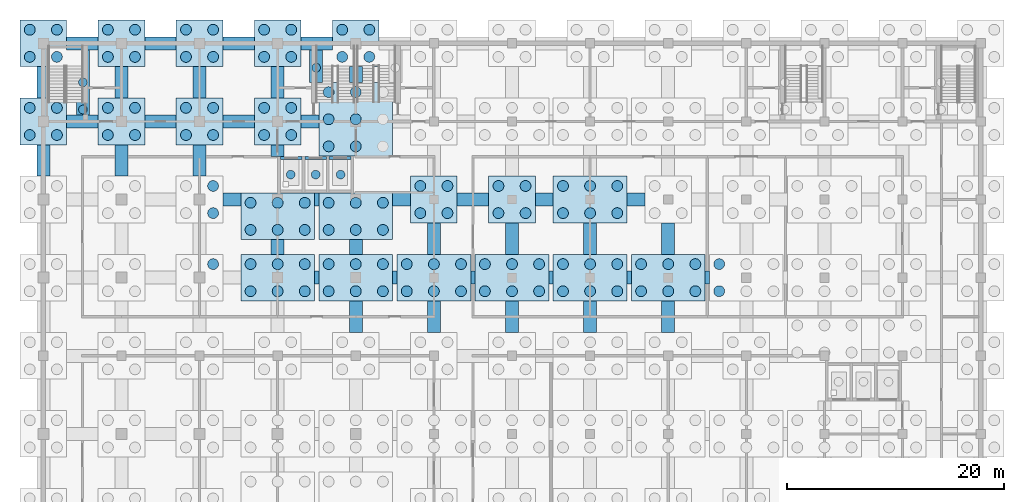
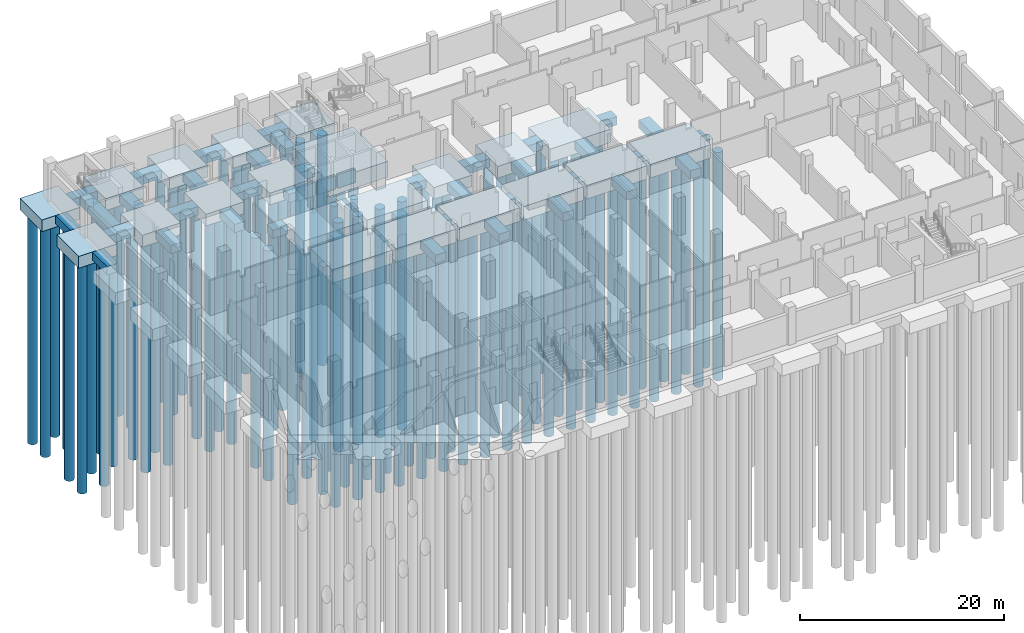
# One storey, part 3 of 19: 115 piles, 66 footings.
"""IFC4 building model written with IfcOpenShell, lengths in metres."""

from ifc_helpers import new_model, si_unit, direction, frame, origin, origin_2d, place, context, subcontext, project, spatial, rectangle, circle, extrude, material, material_profile, profile_set, type_object, element, save


model = new_model("IFC4")

# Units and contexts
model_context = context("Model", 3, precision=1e-05, world=origin(), true_north=direction((0.0, 1.0)))
body_context = subcontext(model_context, "Body", "Model", "MODEL_VIEW")
ifc_project = project(units=[si_unit("LENGTHUNIT", "METRE"), si_unit("AREAUNIT", "SQUARE_METRE"), si_unit("VOLUMEUNIT", "CUBIC_METRE"), si_unit("PLANEANGLEUNIT", "RADIAN"), si_unit("MASSUNIT", "GRAM", prefix="KILO")], contexts=[model_context])

# Site, building, storey
site_placement = place(None, origin())
site = spatial("IfcSite", under=ifc_project, at=site_placement, CompositionType="ELEMENT")
building_placement = place(site_placement, origin())
building = spatial("IfcBuilding", under=site, at=building_placement, Name="Silangan Lancet Faculty of Sciences", CompositionType="ELEMENT")
storey_placement = place(building_placement, frame((0.0, 0.0, -4.5)))
storey = spatial("IfcBuildingStorey", under=building, at=storey_placement, Name="B1", CompositionType="ELEMENT", Elevation=-4.5)

# Footings
ifc_material_1 = material(Name="Concrete C40/50", Category="concrete")
footing_type_1 = type_object("IfcFootingType", Name="LIFT PIT WALL RC 250", PredefinedType="STRIP_FOOTING", material=ifc_material_1)
for number, where, z_axis, x_axis, name in (
    (1, (22.85009765625, 47.02490234375, -1.60009765625), (0.0, 0.0, 1.0), (1.0, 0.0, 0.0), "PITWALL-NT-L1"),
    (2, (25.10009765625, 47.02490234375, -1.60009765625), (0.0, 0.0, 1.0), (1.0, 0.0, 0.0), "PITWALL-NT-L2"),
    (3, (27.35009765625, 47.02490234375, -1.60009765625), (0.0, 0.0, 1.0), (1.0, 0.0, 0.0), "PITWALL-NT-L3"),
):
    element("IfcFooting", number, at=place(storey_placement, frame(where, z_axis=z_axis, x_axis=x_axis)), inside=storey, type_object=footing_type_1, Name=name, PredefinedType="STRIP_FOOTING", context=body_context, shape_type="SweptSolid", body=[
        extrude(rectangle(XDim=2.0, YDim=0.25, at=origin_2d()), origin(), (0.0, 0.0, 1.0), 1.60009765625),
    ])

# Piles
ifc_material_2 = material(Name="Concrete C30/37", Category="concrete")
ifc_material_profile_1 = material_profile(ifc_material_2, circle(Radius=0.5, at=origin_2d()), Name="BORED PILE D1000")
ifc_profile_set_1 = profile_set([ifc_material_profile_1], Name="Concrete C30/37")
pile_type_1 = type_object("IfcPileType", Name="PILE BORED D1000", PredefinedType="BORED", material=ifc_profile_set_1)
for number, where, z_axis, x_axis, name in (
    (4, (-1.25, 49.14990234375, -2.0), (0.0, 0.0, -1.0), (1.0, 0.0, 0.0), "PILE-1H-1"),
    (5, (1.25, 49.14990234375, -2.0), (0.0, 0.0, -1.0), (1.0, 0.0, 0.0), "PILE-1H-2"),
    (6, (-1.25, 51.64990234375, -2.0), (0.0, 0.0, -1.0), (1.0, 0.0, 0.0), "PILE-1H-3"),
    (7, (1.25, 51.64990234375, -2.0), (0.0, 0.0, -1.0), (1.0, 0.0, 0.0), "PILE-1H-4"),
    (8, (-1.25, 56.35009765625, -2.0), (0.0, 0.0, -1.0), (1.0, 0.0, 0.0), "PILE-1I-1"),
    (9, (1.25, 56.35009765625, -2.0), (0.0, 0.0, -1.0), (1.0, 0.0, 0.0), "PILE-1I-2"),
    (10, (-1.25, 58.85009765625, -2.0), (0.0, 0.0, -1.0), (1.0, 0.0, 0.0), "PILE-1I-3"),
    (11, (1.25, 58.85009765625, -2.0), (0.0, 0.0, -1.0), (1.0, 0.0, 0.0), "PILE-1I-4"),
    (12, (5.949951171875, 49.14990234375, -2.0), (0.0, 0.0, -1.0), (1.0, 0.0, 0.0), "PILE-2H-1"),
    (13, (8.449951171875, 49.14990234375, -2.0), (0.0, 0.0, -1.0), (1.0, 0.0, 0.0), "PILE-2H-2"),
    (14, (5.949951171875, 51.64990234375, -2.0), (0.0, 0.0, -1.0), (1.0, 0.0, 0.0), "PILE-2H-3"),
    (15, (8.449951171875, 51.64990234375, -2.0), (0.0, 0.0, -1.0), (1.0, 0.0, 0.0), "PILE-2H-4"),
    (16, (5.949951171875, 56.35009765625, -2.0), (0.0, 0.0, -1.0), (1.0, 0.0, 0.0), "PILE-2I-1"),
    (17, (8.449951171875, 56.35009765625, -2.0), (0.0, 0.0, -1.0), (1.0, 0.0, 0.0), "PILE-2I-2"),
    (18, (5.949951171875, 58.85009765625, -2.0), (0.0, 0.0, -1.0), (1.0, 0.0, 0.0), "PILE-2I-3"),
    (19, (8.449951171875, 58.85009765625, -2.0), (0.0, 0.0, -1.0), (1.0, 0.0, 0.0), "PILE-2I-4"),
    (20, (15.64990234375, 37.25, -2.0), (0.0, 0.0, -1.0), (1.0, 0.0, 0.0), "PILE-3F-4"),
    (21, (15.64990234375, 41.949951171875, -2.0), (0.0, 0.0, -1.0), (1.0, 0.0, 0.0), "PILE-3G-2"),
    (22, (15.64990234375, 44.449951171875, -2.0), (0.0, 0.0, -1.0), (1.0, 0.0, 0.0), "PILE-3G-4"),
    (23, (13.14990234375, 49.14990234375, -2.0), (0.0, 0.0, -1.0), (1.0, 0.0, 0.0), "PILE-3H-1"),
    (24, (15.64990234375, 49.14990234375, -2.0), (0.0, 0.0, -1.0), (1.0, 0.0, 0.0), "PILE-3H-2"),
    (25, (13.14990234375, 51.64990234375, -2.0), (0.0, 0.0, -1.0), (1.0, 0.0, 0.0), "PILE-3H-3"),
    (26, (15.64990234375, 51.64990234375, -2.0), (0.0, 0.0, -1.0), (1.0, 0.0, 0.0), "PILE-3H-4"),
    (27, (13.14990234375, 56.35009765625, -2.0), (0.0, 0.0, -1.0), (1.0, 0.0, 0.0), "PILE-3I-1"),
    (28, (15.64990234375, 56.35009765625, -2.0), (0.0, 0.0, -1.0), (1.0, 0.0, 0.0), "PILE-3I-2"),
    (29, (13.14990234375, 58.85009765625, -2.0), (0.0, 0.0, -1.0), (1.0, 0.0, 0.0), "PILE-3I-3"),
    (30, (15.64990234375, 58.85009765625, -2.0), (0.0, 0.0, -1.0), (1.0, 0.0, 0.0), "PILE-3I-4"),
):
    element("IfcPile", number, at=place(storey_placement, frame(where, z_axis=z_axis, x_axis=x_axis)), inside=storey, type_object=pile_type_1, Name=name, PredefinedType="BORED", context=body_context, shape_type="SweptSolid", body=[
        extrude(circle(Radius=0.5, at=origin_2d()), origin(), (0.0, 0.0, 1.0), 27.5),
    ])
for number, where, z_axis, x_axis, name in (
    (31, (19.10009765625, 34.75, -2.199951171875), (0.0, 0.0, -1.0), (1.0, 0.0, 0.0), "PILE-4F-1"),
    (32, (21.60009765625, 34.75, -2.199951171875), (0.0, 0.0, -1.0), (1.0, 0.0, 0.0), "PILE-4F-2"),
    (33, (24.10009765625, 34.75, -2.199951171875), (0.0, 0.0, -1.0), (1.0, 0.0, 0.0), "PILE-4F-3"),
    (34, (19.10009765625, 37.25, -2.199951171875), (0.0, 0.0, -1.0), (1.0, 0.0, 0.0), "PILE-4F-4"),
    (35, (21.60009765625, 37.25, -2.199951171875), (0.0, 0.0, -1.0), (1.0, 0.0, 0.0), "PILE-4F-5"),
    (36, (24.10009765625, 37.25, -2.199951171875), (0.0, 0.0, -1.0), (1.0, 0.0, 0.0), "PILE-4F-6"),
    (37, (19.10009765625, 40.39990234375, -2.199951171875), (0.0, 0.0, -1.0), (1.0, 0.0, 0.0), "PILE-4G-1"),
    (38, (21.60009765625, 40.39990234375, -2.199951171875), (0.0, 0.0, -1.0), (1.0, 0.0, 0.0), "PILE-4G-2"),
    (39, (24.10009765625, 40.39990234375, -2.199951171875), (0.0, 0.0, -1.0), (1.0, 0.0, 0.0), "PILE-4G-3"),
    (40, (19.10009765625, 42.89990234375, -2.199951171875), (0.0, 0.0, -1.0), (1.0, 0.0, 0.0), "PILE-4G-4"),
    (41, (21.60009765625, 42.89990234375, -2.199951171875), (0.0, 0.0, -1.0), (1.0, 0.0, 0.0), "PILE-4G-5"),
    (42, (24.10009765625, 42.89990234375, -2.199951171875), (0.0, 0.0, -1.0), (1.0, 0.0, 0.0), "PILE-4G-6"),
):
    element("IfcPile", number, at=place(storey_placement, frame(where, z_axis=z_axis, x_axis=x_axis)), inside=storey, type_object=pile_type_1, Name=name, PredefinedType="BORED", context=body_context, shape_type="SweptSolid", body=[
        extrude(circle(Radius=0.5, at=origin_2d()), origin(), (0.0, 0.0, 1.0), 27.300048828125),
    ])
for number, where, z_axis, x_axis, name in (
    (43, (20.35009765625, 49.14990234375, -2.0), (0.0, 0.0, -1.0), (1.0, 0.0, 0.0), "PILE-4H-1"),
    (44, (22.85009765625, 49.14990234375, -2.0), (0.0, 0.0, -1.0), (1.0, 0.0, 0.0), "PILE-4H-2"),
    (45, (20.35009765625, 51.64990234375, -2.0), (0.0, 0.0, -1.0), (1.0, 0.0, 0.0), "PILE-4H-3"),
    (46, (22.85009765625, 51.64990234375, -2.0), (0.0, 0.0, -1.0), (1.0, 0.0, 0.0), "PILE-4H-4"),
    (47, (20.35009765625, 56.35009765625, -2.0), (0.0, 0.0, -1.0), (1.0, 0.0, 0.0), "PILE-4I-1"),
    (48, (22.85009765625, 56.35009765625, -2.0), (0.0, 0.0, -1.0), (1.0, 0.0, 0.0), "PILE-4I-2"),
    (49, (20.35009765625, 58.85009765625, -2.0), (0.0, 0.0, -1.0), (1.0, 0.0, 0.0), "PILE-4I-3"),
    (50, (22.85009765625, 58.85009765625, -2.0), (0.0, 0.0, -1.0), (1.0, 0.0, 0.0), "PILE-4I-4"),
):
    element("IfcPile", number, at=place(storey_placement, frame(where, z_axis=z_axis, x_axis=x_axis)), inside=storey, type_object=pile_type_1, Name=name, PredefinedType="BORED", context=body_context, shape_type="SweptSolid", body=[
        extrude(circle(Radius=0.5, at=origin_2d()), origin(), (0.0, 0.0, 1.0), 27.5),
    ])
for number, where, z_axis, x_axis, name in (
    (51, (26.300048828125, 34.75, -2.199951171875), (0.0, 0.0, -1.0), (1.0, 0.0, 0.0), "PILE-5F-1"),
    (52, (28.800048828125, 34.75, -2.199951171875), (0.0, 0.0, -1.0), (1.0, 0.0, 0.0), "PILE-5F-2"),
    (53, (31.300048828125, 34.75, -2.199951171875), (0.0, 0.0, -1.0), (1.0, 0.0, 0.0), "PILE-5F-3"),
    (54, (26.300048828125, 37.25, -2.199951171875), (0.0, 0.0, -1.0), (1.0, 0.0, 0.0), "PILE-5F-4"),
    (55, (28.800048828125, 37.25, -2.199951171875), (0.0, 0.0, -1.0), (1.0, 0.0, 0.0), "PILE-5F-5"),
    (56, (31.300048828125, 37.25, -2.199951171875), (0.0, 0.0, -1.0), (1.0, 0.0, 0.0), "PILE-5F-6"),
    (57, (26.300048828125, 40.39990234375, -2.199951171875), (0.0, 0.0, -1.0), (1.0, 0.0, 0.0), "PILE-5G-1"),
    (58, (28.800048828125, 40.39990234375, -2.199951171875), (0.0, 0.0, -1.0), (1.0, 0.0, 0.0), "PILE-5G-2"),
    (59, (31.300048828125, 40.39990234375, -2.199951171875), (0.0, 0.0, -1.0), (1.0, 0.0, 0.0), "PILE-5G-3"),
    (60, (26.300048828125, 42.89990234375, -2.199951171875), (0.0, 0.0, -1.0), (1.0, 0.0, 0.0), "PILE-5G-4"),
    (61, (28.800048828125, 42.89990234375, -2.199951171875), (0.0, 0.0, -1.0), (1.0, 0.0, 0.0), "PILE-5G-5"),
    (62, (31.300048828125, 42.89990234375, -2.199951171875), (0.0, 0.0, -1.0), (1.0, 0.0, 0.0), "PILE-5G-6"),
):
    element("IfcPile", number, at=place(storey_placement, frame(where, z_axis=z_axis, x_axis=x_axis)), inside=storey, type_object=pile_type_1, Name=name, PredefinedType="BORED", context=body_context, shape_type="SweptSolid", body=[
        extrude(circle(Radius=0.5, at=origin_2d()), origin(), (0.0, 0.0, 1.0), 27.300048828125),
    ])
for number, where, z_axis, x_axis, name in (
    (63, (26.300048828125, 48.10009765625, -2.5), (0.0, 0.0, -1.0), (1.0, 0.0, 0.0), "PILE-5H-1"),
    (64, (28.800048828125, 48.10009765625, -2.5), (0.0, 0.0, -1.0), (1.0, 0.0, 0.0), "PILE-5H-2"),
    (65, (26.300048828125, 50.60009765625, -2.5), (0.0, 0.0, -1.0), (1.0, 0.0, 0.0), "PILE-5H-4"),
    (66, (28.800048828125, 50.60009765625, -2.5), (0.0, 0.0, -1.0), (1.0, 0.0, 0.0), "PILE-5H-5"),
    (67, (26.300048828125, 53.10009765625, -2.5), (0.0, 0.0, -1.0), (1.0, 0.0, 0.0), "PILE-5H-7"),
    (68, (28.800048828125, 53.10009765625, -2.5), (0.0, 0.0, -1.0), (1.0, 0.0, 0.0), "PILE-5H-8"),
):
    element("IfcPile", number, at=place(storey_placement, frame(where, z_axis=z_axis, x_axis=x_axis)), inside=storey, type_object=pile_type_1, Name=name, PredefinedType="BORED", context=body_context, shape_type="SweptSolid", body=[
        extrude(circle(Radius=0.5, at=origin_2d()), origin(), (0.0, 0.0, 1.0), 27.0),
    ])
for number, where, z_axis, x_axis, name in (
    (69, (27.550048828125, 56.35009765625, -2.0), (0.0, 0.0, -1.0), (1.0, 0.0, 0.0), "PILE-5I-1"),
    (70, (30.050048828125, 56.35009765625, -2.0), (0.0, 0.0, -1.0), (1.0, 0.0, 0.0), "PILE-5I-2"),
    (71, (27.550048828125, 58.85009765625, -2.0), (0.0, 0.0, -1.0), (1.0, 0.0, 0.0), "PILE-5I-3"),
    (72, (30.050048828125, 58.85009765625, -2.0), (0.0, 0.0, -1.0), (1.0, 0.0, 0.0), "PILE-5I-4"),
):
    element("IfcPile", number, at=place(storey_placement, frame(where, z_axis=z_axis, x_axis=x_axis)), inside=storey, type_object=pile_type_1, Name=name, PredefinedType="BORED", context=body_context, shape_type="SweptSolid", body=[
        extrude(circle(Radius=0.5, at=origin_2d()), origin(), (0.0, 0.0, 1.0), 27.5),
    ])
for number, where, z_axis, x_axis, name in (
    (73, (33.5, 34.75, -2.199951171875), (0.0, 0.0, -1.0), (1.0, 0.0, 0.0), "PILE-6F-1"),
    (74, (36.0, 34.75, -2.199951171875), (0.0, 0.0, -1.0), (1.0, 0.0, 0.0), "PILE-6F-2"),
    (75, (38.5, 34.75, -2.199951171875), (0.0, 0.0, -1.0), (1.0, 0.0, 0.0), "PILE-6F-3"),
    (76, (33.5, 37.25, -2.199951171875), (0.0, 0.0, -1.0), (1.0, 0.0, 0.0), "PILE-6F-4"),
    (77, (36.0, 37.25, -2.199951171875), (0.0, 0.0, -1.0), (1.0, 0.0, 0.0), "PILE-6F-5"),
    (78, (38.5, 37.25, -2.199951171875), (0.0, 0.0, -1.0), (1.0, 0.0, 0.0), "PILE-6F-6"),
):
    element("IfcPile", number, at=place(storey_placement, frame(where, z_axis=z_axis, x_axis=x_axis)), inside=storey, type_object=pile_type_1, Name=name, PredefinedType="BORED", context=body_context, shape_type="SweptSolid", body=[
        extrude(circle(Radius=0.5, at=origin_2d()), origin(), (0.0, 0.0, 1.0), 27.300048828125),
    ])
for number, where, z_axis, x_axis, name in (
    (79, (34.75, 41.949951171875, -2.0), (0.0, 0.0, -1.0), (1.0, 0.0, 0.0), "PILE-6G-1"),
    (80, (37.25, 41.949951171875, -2.0), (0.0, 0.0, -1.0), (1.0, 0.0, 0.0), "PILE-6G-2"),
    (81, (34.75, 44.449951171875, -2.0), (0.0, 0.0, -1.0), (1.0, 0.0, 0.0), "PILE-6G-3"),
    (82, (37.25, 44.449951171875, -2.0), (0.0, 0.0, -1.0), (1.0, 0.0, 0.0), "PILE-6G-4"),
):
    element("IfcPile", number, at=place(storey_placement, frame(where, z_axis=z_axis, x_axis=x_axis)), inside=storey, type_object=pile_type_1, Name=name, PredefinedType="BORED", context=body_context, shape_type="SweptSolid", body=[
        extrude(circle(Radius=0.5, at=origin_2d()), origin(), (0.0, 0.0, 1.0), 27.5),
    ])
for number, where, z_axis, x_axis, name in (
    (83, (40.699951171875, 34.75, -2.199951171875), (0.0, 0.0, -1.0), (1.0, 0.0, 0.0), "PILE-7F-1"),
    (84, (43.199951171875, 34.75, -2.199951171875), (0.0, 0.0, -1.0), (1.0, 0.0, 0.0), "PILE-7F-2"),
    (85, (45.699951171875, 34.75, -2.199951171875), (0.0, 0.0, -1.0), (1.0, 0.0, 0.0), "PILE-7F-3"),
    (86, (40.699951171875, 37.25, -2.199951171875), (0.0, 0.0, -1.0), (1.0, 0.0, 0.0), "PILE-7F-4"),
    (87, (43.199951171875, 37.25, -2.199951171875), (0.0, 0.0, -1.0), (1.0, 0.0, 0.0), "PILE-7F-5"),
    (88, (45.699951171875, 37.25, -2.199951171875), (0.0, 0.0, -1.0), (1.0, 0.0, 0.0), "PILE-7F-6"),
):
    element("IfcPile", number, at=place(storey_placement, frame(where, z_axis=z_axis, x_axis=x_axis)), inside=storey, type_object=pile_type_1, Name=name, PredefinedType="BORED", context=body_context, shape_type="SweptSolid", body=[
        extrude(circle(Radius=0.5, at=origin_2d()), origin(), (0.0, 0.0, 1.0), 27.300048828125),
    ])
for number, where, z_axis, x_axis, name in (
    (89, (41.949951171875, 41.949951171875, -2.0), (0.0, 0.0, -1.0), (1.0, 0.0, 0.0), "PILE-7G-1"),
    (90, (44.449951171875, 41.949951171875, -2.0), (0.0, 0.0, -1.0), (1.0, 0.0, 0.0), "PILE-7G-2"),
    (91, (41.949951171875, 44.449951171875, -2.0), (0.0, 0.0, -1.0), (1.0, 0.0, 0.0), "PILE-7G-3"),
    (92, (44.449951171875, 44.449951171875, -2.0), (0.0, 0.0, -1.0), (1.0, 0.0, 0.0), "PILE-7G-4"),
):
    element("IfcPile", number, at=place(storey_placement, frame(where, z_axis=z_axis, x_axis=x_axis)), inside=storey, type_object=pile_type_1, Name=name, PredefinedType="BORED", context=body_context, shape_type="SweptSolid", body=[
        extrude(circle(Radius=0.5, at=origin_2d()), origin(), (0.0, 0.0, 1.0), 27.5),
    ])
for number, where, z_axis, x_axis, name in (
    (93, (47.89990234375, 34.75, -2.199951171875), (0.0, 0.0, -1.0), (1.0, 0.0, 0.0), "PILE-8F-1"),
    (94, (50.39990234375, 34.75, -2.199951171875), (0.0, 0.0, -1.0), (1.0, 0.0, 0.0), "PILE-8F-2"),
    (95, (52.89990234375, 34.75, -2.199951171875), (0.0, 0.0, -1.0), (1.0, 0.0, 0.0), "PILE-8F-3"),
    (96, (47.89990234375, 37.25, -2.199951171875), (0.0, 0.0, -1.0), (1.0, 0.0, 0.0), "PILE-8F-4"),
    (97, (50.39990234375, 37.25, -2.199951171875), (0.0, 0.0, -1.0), (1.0, 0.0, 0.0), "PILE-8F-5"),
    (98, (52.89990234375, 37.25, -2.199951171875), (0.0, 0.0, -1.0), (1.0, 0.0, 0.0), "PILE-8F-6"),
    (99, (47.89990234375, 41.949951171875, -2.199951171875), (0.0, 0.0, -1.0), (1.0, 0.0, 0.0), "PILE-8G-1"),
    (100, (50.39990234375, 41.949951171875, -2.199951171875), (0.0, 0.0, -1.0), (1.0, 0.0, 0.0), "PILE-8G-2"),
    (101, (52.89990234375, 41.949951171875, -2.199951171875), (0.0, 0.0, -1.0), (1.0, 0.0, 0.0), "PILE-8G-3"),
    (102, (47.89990234375, 44.449951171875, -2.199951171875), (0.0, 0.0, -1.0), (1.0, 0.0, 0.0), "PILE-8G-4"),
    (103, (50.39990234375, 44.449951171875, -2.199951171875), (0.0, 0.0, -1.0), (1.0, 0.0, 0.0), "PILE-8G-5"),
    (104, (52.89990234375, 44.449951171875, -2.199951171875), (0.0, 0.0, -1.0), (1.0, 0.0, 0.0), "PILE-8G-6"),
    (105, (55.10009765625, 34.75, -2.199951171875), (0.0, 0.0, -1.0), (1.0, 0.0, 0.0), "PILE-9F-1"),
    (106, (57.60009765625, 34.75, -2.199951171875), (0.0, 0.0, -1.0), (1.0, 0.0, 0.0), "PILE-9F-2"),
    (107, (60.10009765625, 34.75, -2.199951171875), (0.0, 0.0, -1.0), (1.0, 0.0, 0.0), "PILE-9F-3"),
    (108, (55.10009765625, 37.25, -2.199951171875), (0.0, 0.0, -1.0), (1.0, 0.0, 0.0), "PILE-9F-4"),
    (109, (57.60009765625, 37.25, -2.199951171875), (0.0, 0.0, -1.0), (1.0, 0.0, 0.0), "PILE-9F-5"),
    (110, (60.10009765625, 37.25, -2.199951171875), (0.0, 0.0, -1.0), (1.0, 0.0, 0.0), "PILE-9F-6"),
    (111, (62.300048828125, 34.75, -2.199951171875), (0.0, 0.0, -1.0), (1.0, 0.0, 0.0), "PILE-10F-1"),
    (112, (62.300048828125, 37.25, -2.199951171875), (0.0, 0.0, -1.0), (1.0, 0.0, 0.0), "PILE-10F-4"),
):
    element("IfcPile", number, at=place(storey_placement, frame(where, z_axis=z_axis, x_axis=x_axis)), inside=storey, type_object=pile_type_1, Name=name, PredefinedType="BORED", context=body_context, shape_type="SweptSolid", body=[
        extrude(circle(Radius=0.5, at=origin_2d()), origin(), (0.0, 0.0, 1.0), 27.300048828125),
    ])
ifc_material_3 = material(Name="Concrete C30/37", Category="concrete")
ifc_material_profile_2 = material_profile(ifc_material_3, circle(Radius=0.39990234375, at=origin_2d()), Name="BORED PILE D800")
ifc_profile_set_2 = profile_set([ifc_material_profile_2], Name="Concrete C30/37")
pile_type_2 = type_object("IfcPileType", Name="PILE BORED D800", PredefinedType="BORED", material=ifc_profile_set_2)
for number, where, z_axis, x_axis, name in (
    (113, (3.64990234375, 54.0, -1.60009765625), (0.0, 0.0, -1.0), (1.0, 0.0, 0.0), "PILE-FB-WNT-A-1"),
    (114, (3.64990234375, 51.5, -1.60009765625), (0.0, 0.0, -1.0), (1.0, 0.0, 0.0), "PILE-FB-WNT-A-2"),
    (115, (25.14990234375, 55.35009765625, -1.60009765625), (0.0, 0.0, -1.0), (1.0, 0.0, 0.0), "PILE-FB-WNT-B-1"),
):
    element("IfcPile", number, at=place(storey_placement, frame(where, z_axis=z_axis, x_axis=x_axis)), inside=storey, type_object=pile_type_2, Name=name, PredefinedType="BORED", context=body_context, shape_type="SweptSolid", body=[
        extrude(circle(Radius=0.39990234375, at=origin_2d()), origin(), (0.0, 0.0, 1.0), 27.89990234375),
    ])
for number, where, z_axis, x_axis, name in (
    (116, (22.800048828125, 45.5, -2.199951171875), (0.0, 0.0, -1.0), (1.0, 0.0, 0.0), "PILE-PIT-NT-1"),
    (117, (25.10009765625, 45.5, -2.199951171875), (0.0, 0.0, -1.0), (1.0, 0.0, 0.0), "PILE-PIT-NT-2"),
    (118, (27.39990234375, 45.5, -2.199951171875), (0.0, 0.0, -1.0), (1.0, 0.0, 0.0), "PILE-PIT-NT-3"),
):
    element("IfcPile", number, at=place(storey_placement, frame(where, z_axis=z_axis, x_axis=x_axis)), inside=storey, type_object=pile_type_2, Name=name, PredefinedType="BORED", context=body_context, shape_type="SweptSolid", body=[
        extrude(circle(Radius=0.39990234375, at=origin_2d()), origin(), (0.0, 0.0, 1.0), 27.300048828125),
    ])

# Footings
ifc_material_4 = material(Name="Concrete C30/37", Category="concrete")
footing_type_2 = type_object("IfcFootingType", Name="PILE CAP 4 PILES 4300x4300x1400", PredefinedType="PILE_CAP", material=ifc_material_4)
for number, where, z_axis, x_axis, name in (
    (119, (0.0, 50.39990234375, -2.0), (0.0, 0.0, 1.0), (1.0, 0.0, 0.0), "CAP-1H"),
    (120, (0.0, 57.60009765625, -2.0), (0.0, 0.0, 1.0), (1.0, 0.0, 0.0), "CAP-1I"),
    (121, (7.199951171875, 50.39990234375, -2.0), (0.0, 0.0, 1.0), (1.0, 0.0, 0.0), "CAP-2H"),
    (122, (7.199951171875, 57.60009765625, -2.0), (0.0, 0.0, 1.0), (1.0, 0.0, 0.0), "CAP-2I"),
    (123, (14.39990234375, 50.39990234375, -2.0), (0.0, 0.0, 1.0), (1.0, 0.0, 0.0), "CAP-3H"),
    (124, (14.39990234375, 57.60009765625, -2.0), (0.0, 0.0, 1.0), (1.0, 0.0, 0.0), "CAP-3I"),
    (125, (21.60009765625, 50.39990234375, -2.0), (0.0, 0.0, 1.0), (1.0, 0.0, 0.0), "CAP-4H"),
    (126, (21.60009765625, 57.60009765625, -2.0), (0.0, 0.0, 1.0), (1.0, 0.0, 0.0), "CAP-4I"),
    (127, (28.800048828125, 57.60009765625, -2.0), (0.0, 0.0, 1.0), (1.0, 0.0, 0.0), "CAP-5I"),
    (128, (36.0, 43.199951171875, -2.0), (0.0, 0.0, 1.0), (1.0, 0.0, 0.0), "CAP-6G"),
    (129, (43.199951171875, 43.199951171875, -2.0), (0.0, 0.0, 1.0), (1.0, 0.0, 0.0), "CAP-7G"),
):
    element("IfcFooting", number, at=place(storey_placement, frame(where, z_axis=z_axis, x_axis=x_axis)), inside=storey, type_object=footing_type_2, Name=name, PredefinedType="PILE_CAP", context=body_context, shape_type="SweptSolid", body=[
        extrude(rectangle(XDim=4.300048828125, YDim=4.300048828125, at=origin_2d()), origin(), (0.0, 0.0, 1.0), 1.39990234375),
    ])
ifc_material_5 = material(Name="Concrete C30/37", Category="concrete")
footing_type_3 = type_object("IfcFootingType", Name="PILE CAP 6 PILES 6800x4300x1600", PredefinedType="PILE_CAP", material=ifc_material_5)
for number, where, z_axis, x_axis, name in (
    (130, (21.60009765625, 36.0, -2.199951171875), (0.0, 0.0, 1.0), (1.0, 0.0, 0.0), "CAP-4F"),
    (131, (21.60009765625, 41.64990234375, -2.199951171875), (0.0, 0.0, 1.0), (1.0, 0.0, 0.0), "CAP-4G"),
    (132, (28.800048828125, 36.0, -2.199951171875), (0.0, 0.0, 1.0), (1.0, 0.0, 0.0), "CAP-5F"),
    (133, (28.800048828125, 41.64990234375, -2.199951171875), (0.0, 0.0, 1.0), (1.0, 0.0, 0.0), "CAP-5G"),
    (134, (36.0, 36.0, -2.199951171875), (0.0, 0.0, 1.0), (1.0, 0.0, 0.0), "CAP-6F"),
    (135, (43.199951171875, 36.0, -2.199951171875), (0.0, 0.0, 1.0), (1.0, 0.0, 0.0), "CAP-7F"),
    (136, (50.39990234375, 36.0, -2.199951171875), (0.0, 0.0, 1.0), (1.0, 0.0, 0.0), "CAP-8F"),
    (137, (50.39990234375, 43.199951171875, -2.199951171875), (0.0, 0.0, 1.0), (1.0, 0.0, 0.0), "CAP-8G"),
    (138, (57.60009765625, 36.0, -2.199951171875), (0.0, 0.0, 1.0), (1.0, 0.0, 0.0), "CAP-9F"),
):
    element("IfcFooting", number, at=place(storey_placement, frame(where, z_axis=z_axis, x_axis=x_axis)), inside=storey, type_object=footing_type_3, Name=name, PredefinedType="PILE_CAP", context=body_context, shape_type="SweptSolid", body=[
        extrude(rectangle(XDim=6.800048828125, YDim=4.300048828125, at=origin_2d()), origin(), (0.0, 0.0, 1.0), 1.60009765625),
    ])
ifc_material_6 = material(Name="Concrete C30/37", Category="concrete")
footing_type_4 = type_object("IfcFootingType", Name="PILE CAP 9 PILES 6800x6800x1900", PredefinedType="PILE_CAP", material=ifc_material_6)
footing_1_placement = place(storey_placement, frame((28.800048828125, 50.60009765625, -2.5), z_axis=(0.0, 0.0, 1.0), x_axis=(1.0, 0.0, 0.0)))
element("IfcFooting", 139, at=footing_1_placement, inside=storey, type_object=footing_type_4, Name="CAP-5H", PredefinedType="PILE_CAP", context=body_context, shape_type="SweptSolid", body=[
    extrude(rectangle(XDim=6.800048828125, YDim=6.800048828125, at=origin_2d()), origin(), (0.0, 0.0, 1.0), 1.89990234375),
])
ifc_material_7 = material(Name="Concrete C30/37", Category="concrete")
footing_type_5 = type_object("IfcFootingType", Name="PILE CAP BEAM 1200x1000", PredefinedType="FOOTING_BEAM", material=ifc_material_7)
for number, where, z_axis, x_axis, name in (
    (140, (3.60009765625, 57.60009765625, -1.60009765625), (0.0, 0.0, 1.0), (1.0, 0.0, 0.0), "FB-1I-2I"),
    (141, (10.800048828125, 57.60009765625, -1.60009765625), (0.0, 0.0, 1.0), (1.0, 0.0, 0.0), "FB-2I-3I"),
    (142, (18.0, 57.60009765625, -1.60009765625), (0.0, 0.0, 1.0), (1.0, 0.0, 0.0), "FB-3I-4I"),
    (143, (25.199951171875, 57.60009765625, -1.60009765625), (0.0, 0.0, 1.0), (1.0, 0.0, 0.0), "FB-4I-5I"),
    (144, (0.0, 46.800048828125, -1.60009765625), (0.0, 0.0, 1.0), (0.0, 1.0, 0.0), "FB-1G-1H"),
    (145, (0.0, 54.0, -1.60009765625), (0.0, 0.0, 1.0), (0.0, 1.0, 0.0), "FB-1H-1I"),
    (146, (7.199951171875, 46.800048828125, -1.60009765625), (0.0, 0.0, 1.0), (0.0, 1.0, 0.0), "FB-2G-2H"),
    (147, (7.199951171875, 54.0, -1.60009765625), (0.0, 0.0, 1.0), (0.0, 1.0, 0.0), "FB-2H-2I"),
    (148, (14.39990234375, 46.800048828125, -1.60009765625), (0.0, 0.0, 1.0), (0.0, 1.0, 0.0), "FB-3G-3H"),
    (149, (14.39990234375, 54.0, -1.60009765625), (0.0, 0.0, 1.0), (0.0, 1.0, 0.0), "FB-3H-3I"),
):
    element("IfcFooting", number, at=place(storey_placement, frame(where, z_axis=z_axis, x_axis=x_axis)), inside=storey, type_object=footing_type_5, Name=name, PredefinedType="FOOTING_BEAM", context=body_context, shape_type="SweptSolid", body=[
        extrude(rectangle(XDim=2.89990234375, YDim=1.199951171875, at=origin_2d()), origin(), (0.0, 0.0, 1.0), 1.0),
    ])
footing_2_placement = place(storey_placement, frame((21.60009765625, 38.824951171875, -1.60009765625), z_axis=(0.0, 0.0, 1.0), x_axis=(0.0, 1.0, 0.0)))
element("IfcFooting", 150, at=footing_2_placement, inside=storey, type_object=footing_type_5, Name="FB-4F-4G", PredefinedType="FOOTING_BEAM", context=body_context, shape_type="SweptSolid", body=[
    extrude(rectangle(XDim=1.35009765625, YDim=1.199951171875, at=origin_2d()), origin(), (0.0, 0.0, 1.0), 1.0),
])
footing_3_placement = place(storey_placement, frame((21.60009765625, 47.699951171875, -1.60009765625), z_axis=(0.0, 0.0, 1.0), x_axis=(0.0, 1.0, 0.0)))
element("IfcFooting", 151, at=footing_3_placement, inside=storey, type_object=footing_type_5, Name="FB-4G-4H", PredefinedType="FOOTING_BEAM", context=body_context, shape_type="SweptSolid", body=[
    extrude(rectangle(XDim=1.10009765625, YDim=1.199951171875, at=origin_2d()), origin(), (0.0, 0.0, 1.0), 1.0),
])
for number, where, z_axis, x_axis, name in (
    (152, (21.60009765625, 54.0, -1.60009765625), (0.0, 0.0, 1.0), (0.0, 1.0, 0.0), "FB-4H-4I"),
    (153, (28.800048828125, 32.39990234375, -1.60009765625), (0.0, 0.0, 1.0), (0.0, 1.0, 0.0), "FB-5E-5F"),
):
    element("IfcFooting", number, at=place(storey_placement, frame(where, z_axis=z_axis, x_axis=x_axis)), inside=storey, type_object=footing_type_5, Name=name, PredefinedType="FOOTING_BEAM", context=body_context, shape_type="SweptSolid", body=[
        extrude(rectangle(XDim=2.89990234375, YDim=1.199951171875, at=origin_2d()), origin(), (0.0, 0.0, 1.0), 1.0),
    ])
footing_4_placement = place(storey_placement, frame((28.800048828125, 38.824951171875, -1.60009765625), z_axis=(0.0, 0.0, 1.0), x_axis=(0.0, 1.0, 0.0)))
element("IfcFooting", 154, at=footing_4_placement, inside=storey, type_object=footing_type_5, Name="FB-5F-5G", PredefinedType="FOOTING_BEAM", context=body_context, shape_type="SweptSolid", body=[
    extrude(rectangle(XDim=1.35009765625, YDim=1.199951171875, at=origin_2d()), origin(), (0.0, 0.0, 1.0), 1.0),
])
footing_5_placement = place(storey_placement, frame((28.800048828125, 54.72509765625, -1.60009765625), z_axis=(0.0, 0.0, 1.0), x_axis=(0.0, 1.0, 0.0)))
element("IfcFooting", 155, at=footing_5_placement, inside=storey, type_object=footing_type_5, Name="FB-5H-5I", PredefinedType="FOOTING_BEAM", context=body_context, shape_type="SweptSolid", body=[
    extrude(rectangle(XDim=1.449951171875, YDim=1.199951171875, at=origin_2d()), origin(), (0.0, 0.0, 1.0), 1.0),
])
for number, where, z_axis, x_axis, name in (
    (156, (36.0, 32.39990234375, -1.60009765625), (0.0, 0.0, 1.0), (0.0, 1.0, 0.0), "FB-6E-6F"),
    (157, (36.0, 39.60009765625, -1.60009765625), (0.0, 0.0, 1.0), (0.0, 1.0, 0.0), "FB-6F-6G"),
    (158, (43.199951171875, 32.39990234375, -1.60009765625), (0.0, 0.0, 1.0), (0.0, 1.0, 0.0), "FB-7E-7F"),
    (159, (43.199951171875, 39.60009765625, -1.60009765625), (0.0, 0.0, 1.0), (0.0, 1.0, 0.0), "FB-7F-7G"),
    (160, (50.39990234375, 32.39990234375, -1.60009765625), (0.0, 0.0, 1.0), (0.0, 1.0, 0.0), "FB-8E-8F"),
    (161, (50.39990234375, 39.60009765625, -1.60009765625), (0.0, 0.0, 1.0), (0.0, 1.0, 0.0), "FB-8F-8G"),
    (162, (57.60009765625, 32.39990234375, -1.60009765625), (0.0, 0.0, 1.0), (0.0, 1.0, 0.0), "FB-9E-9F"),
    (163, (57.60009765625, 39.60009765625, -1.60009765625), (0.0, 0.0, 1.0), (0.0, 1.0, 0.0), "FB-9F-9G"),
):
    element("IfcFooting", number, at=place(storey_placement, frame(where, z_axis=z_axis, x_axis=x_axis)), inside=storey, type_object=footing_type_5, Name=name, PredefinedType="FOOTING_BEAM", context=body_context, shape_type="SweptSolid", body=[
        extrude(rectangle(XDim=2.89990234375, YDim=1.199951171875, at=origin_2d()), origin(), (0.0, 0.0, 1.0), 1.0),
    ])
for number, where, z_axis, x_axis, name in (
    (164, (25.199951171875, 36.0, -1.60009765625), (0.0, 0.0, 1.0), (1.0, 0.0, 0.0), "FB-4F-5F"),
    (165, (32.39990234375, 36.0, -1.60009765625), (0.0, 0.0, 1.0), (1.0, 0.0, 0.0), "FB-5F-6F"),
    (166, (39.60009765625, 36.0, -1.60009765625), (0.0, 0.0, 1.0), (1.0, 0.0, 0.0), "FB-6F-7F"),
    (167, (46.800048828125, 36.0, -1.60009765625), (0.0, 0.0, 1.0), (1.0, 0.0, 0.0), "FB-7F-8F"),
    (168, (54.0, 36.0, -1.60009765625), (0.0, 0.0, 1.0), (1.0, 0.0, 0.0), "FB-8F-9F"),
    (169, (61.199951171875, 36.0, -1.60009765625), (0.0, 0.0, 1.0), (1.0, 0.0, 0.0), "FB-9F-10F"),
):
    element("IfcFooting", number, at=place(storey_placement, frame(where, z_axis=z_axis, x_axis=x_axis)), inside=storey, type_object=footing_type_5, Name=name, PredefinedType="FOOTING_BEAM", context=body_context, shape_type="SweptSolid", body=[
        extrude(rectangle(XDim=0.39990234375, YDim=1.199951171875, at=origin_2d()), origin(), (0.0, 0.0, 1.0), 1.0),
    ])
footing_6_placement = place(storey_placement, frame((17.375, 43.199951171875, -1.60009765625), z_axis=(0.0, 0.0, 1.0), x_axis=(1.0, 0.0, 0.0)))
element("IfcFooting", 170, at=footing_6_placement, inside=storey, type_object=footing_type_5, Name="FB-3G-4G", PredefinedType="FOOTING_BEAM", context=body_context, shape_type="SweptSolid", body=[
    extrude(rectangle(XDim=1.64990234375, YDim=1.199951171875, at=origin_2d()), origin(), (0.0, 0.0, 1.0), 1.0),
])
footing_7_placement = place(storey_placement, frame((25.199951171875, 43.199951171875, -1.60009765625), z_axis=(0.0, 0.0, 1.0), x_axis=(1.0, 0.0, 0.0)))
element("IfcFooting", 171, at=footing_7_placement, inside=storey, type_object=footing_type_5, Name="FB-4G-5G", PredefinedType="FOOTING_BEAM", context=body_context, shape_type="SweptSolid", body=[
    extrude(rectangle(XDim=0.39990234375, YDim=1.199951171875, at=origin_2d()), origin(), (0.0, 0.0, 1.0), 1.0),
])
footing_8_placement = place(storey_placement, frame((33.02490234375, 43.199951171875, -1.60009765625), z_axis=(0.0, 0.0, 1.0), x_axis=(1.0, 0.0, 0.0)))
element("IfcFooting", 172, at=footing_8_placement, inside=storey, type_object=footing_type_5, Name="FB-5G-6G", PredefinedType="FOOTING_BEAM", context=body_context, shape_type="SweptSolid", body=[
    extrude(rectangle(XDim=1.64990234375, YDim=1.199951171875, at=origin_2d()), origin(), (0.0, 0.0, 1.0), 1.0),
])
footing_9_placement = place(storey_placement, frame((39.60009765625, 43.199951171875, -1.60009765625), z_axis=(0.0, 0.0, 1.0), x_axis=(1.0, 0.0, 0.0)))
element("IfcFooting", 173, at=footing_9_placement, inside=storey, type_object=footing_type_5, Name="FB-6G-7G", PredefinedType="FOOTING_BEAM", context=body_context, shape_type="SweptSolid", body=[
    extrude(rectangle(XDim=2.89990234375, YDim=1.199951171875, at=origin_2d()), origin(), (0.0, 0.0, 1.0), 1.0),
])
for number, where, z_axis, x_axis, name in (
    (174, (46.175048828125, 43.199951171875, -1.60009765625), (0.0, 0.0, 1.0), (1.0, 0.0, 0.0), "FB-7G-8G"),
    (175, (54.625, 43.199951171875, -1.60009765625), (0.0, 0.0, 1.0), (1.0, 0.0, 0.0), "FB-8G-9G"),
):
    element("IfcFooting", number, at=place(storey_placement, frame(where, z_axis=z_axis, x_axis=x_axis)), inside=storey, type_object=footing_type_5, Name=name, PredefinedType="FOOTING_BEAM", context=body_context, shape_type="SweptSolid", body=[
        extrude(rectangle(XDim=1.64990234375, YDim=1.199951171875, at=origin_2d()), origin(), (0.0, 0.0, 1.0), 1.0),
    ])
for number, where, z_axis, x_axis, name in (
    (176, (3.60009765625, 50.39990234375, -1.60009765625), (0.0, 0.0, 1.0), (1.0, 0.0, 0.0), "FB-1H-2H"),
    (177, (10.800048828125, 50.39990234375, -1.60009765625), (0.0, 0.0, 1.0), (1.0, 0.0, 0.0), "FB-2H-3H"),
    (178, (18.0, 50.39990234375, -1.60009765625), (0.0, 0.0, 1.0), (1.0, 0.0, 0.0), "FB-3H-4H"),
):
    element("IfcFooting", number, at=place(storey_placement, frame(where, z_axis=z_axis, x_axis=x_axis)), inside=storey, type_object=footing_type_5, Name=name, PredefinedType="FOOTING_BEAM", context=body_context, shape_type="SweptSolid", body=[
        extrude(rectangle(XDim=2.89990234375, YDim=1.199951171875, at=origin_2d()), origin(), (0.0, 0.0, 1.0), 1.0),
    ])
footing_10_placement = place(storey_placement, frame((24.574951171875, 50.39990234375, -1.60009765625), z_axis=(0.0, 0.0, 1.0), x_axis=(1.0, 0.0, 0.0)))
element("IfcFooting", 179, at=footing_10_placement, inside=storey, type_object=footing_type_5, Name="FB-4H-5H", PredefinedType="FOOTING_BEAM", context=body_context, shape_type="SweptSolid", body=[
    extrude(rectangle(XDim=1.64990234375, YDim=1.199951171875, at=origin_2d()), origin(), (0.0, 0.0, 1.0), 1.0),
])
footing_11_placement = place(storey_placement, frame((3.64990234375, 54.0, -1.60009765625), z_axis=(0.0, 0.0, 1.0), x_axis=(0.0, 1.0, 0.0)))
element("IfcFooting", 180, at=footing_11_placement, inside=storey, type_object=footing_type_5, Name="FB-WNT-A", PredefinedType="FOOTING_BEAM", context=body_context, shape_type="SweptSolid", body=[
    extrude(rectangle(XDim=6.0, YDim=1.199951171875, at=origin_2d()), origin(), (0.0, 0.0, 1.0), 1.0),
])
footing_12_placement = place(storey_placement, frame((25.14990234375, 55.5, -1.60009765625), z_axis=(0.0, 0.0, 1.0), x_axis=(0.0, 1.0, 0.0)))
element("IfcFooting", 181, at=footing_12_placement, inside=storey, type_object=footing_type_5, Name="FB-WNT-B", PredefinedType="FOOTING_BEAM", context=body_context, shape_type="SweptSolid", body=[
    extrude(rectangle(XDim=3.0, YDim=1.199951171875, at=origin_2d()), origin(), (0.0, 0.0, 1.0), 1.0),
])

save(model, "model.ifc")
